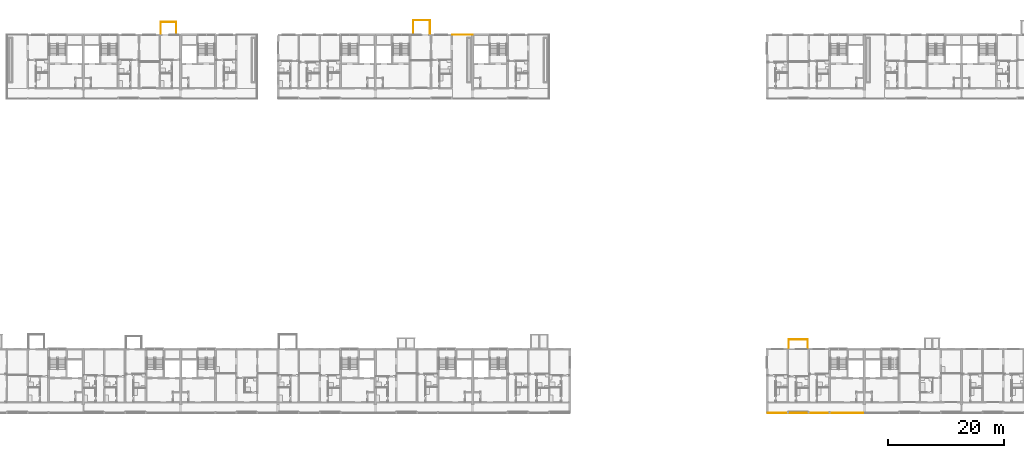
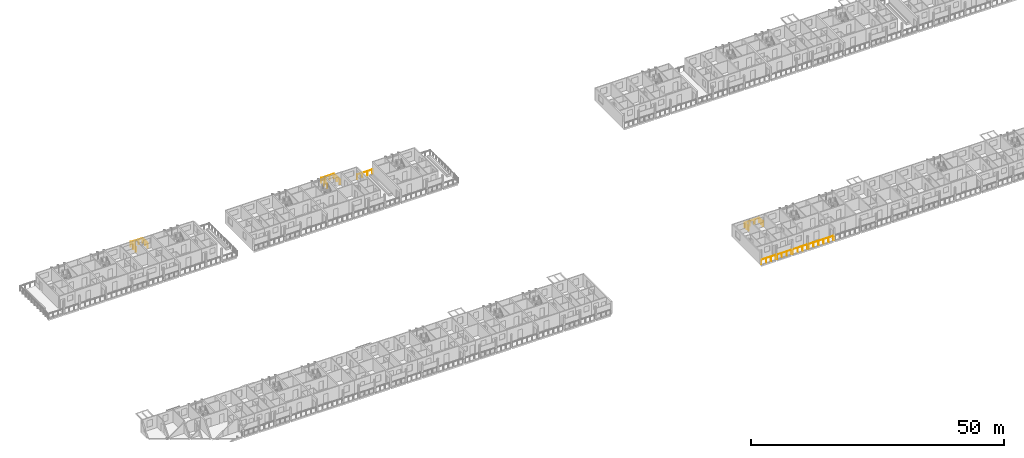
# One storey, part 82 of 94: 8 railings.
"""IFC4 building model written with IfcOpenShell, lengths in metres."""

from ifc_helpers import new_model, si_unit, direction, frame, origin, origin_2d, place, context, subcontext, project, spatial, circle, extrude, material, type_object, element, save


model = new_model("IFC4")

# Units and contexts
model_context = context("Model", 3, precision=1e-05, world=origin(), true_north=direction((0.0, 1.0)))
body_context = subcontext(model_context, "Body", "Model", "MODEL_VIEW")
ifc_project = project(units=[si_unit("LENGTHUNIT", "METRE"), si_unit("AREAUNIT", "SQUARE_METRE"), si_unit("VOLUMEUNIT", "CUBIC_METRE"), si_unit("PLANEANGLEUNIT", "RADIAN"), si_unit("MASSUNIT", "GRAM", prefix="KILO")], contexts=[model_context])

# Site, building, storey
site_placement = place(None, origin())
site = spatial("IfcSite", under=ifc_project, at=site_placement, CompositionType="ELEMENT")
building_placement = place(site_placement, origin())
building = spatial("IfcBuilding", under=site, at=building_placement, Name="Ridgestep Commons", CompositionType="ELEMENT")
storey_placement = place(building_placement, frame((0.0, 0.0, 21.0)))
storey = spatial("IfcBuildingStorey", under=building, at=storey_placement, Name="L07", CompositionType="ELEMENT", Elevation=21.0)

# Railings
ifc_material_1 = material(Name="Structural steel S355JR", Category="steel")
railing_type_1 = type_object("IfcRailingType", Name="Guard 1100", PredefinedType="GUARDRAIL", material=ifc_material_1)
railing_1_placement = place(storey_placement, frame((96.0, 77.125, 0.0)))
element("IfcRailing", 1, at=railing_1_placement, inside=storey, type_object=railing_type_1, Name="Guard TD-B5R1-GD", PredefinedType="GUARDRAIL", context=body_context, shape_type="SweptSolid", body=[
    extrude(circle(Radius=0.02392578125, at=origin_2d()), frame((0.0, 0.0, 1.076171875), z_axis=(-1.0, 0.0, 0.0), x_axis=(0.0, -1.0, 0.0)), (0.0, 0.0, 1.0), 3.47900390625),
    extrude(circle(Radius=0.02099609375, at=origin_2d()), origin(), (0.0, 0.0, 1.0), 1.052001953125),
    extrude(circle(Radius=0.02099609375, at=origin_2d()), frame((-1.15966796875, 0.0, 0.0)), (0.0, 0.0, 1.0), 1.052001953125),
    extrude(circle(Radius=0.02099609375, at=origin_2d()), frame((-2.3193359375, 0.0, 0.0)), (0.0, 0.0, 1.0), 1.052001953125),
    extrude(circle(Radius=0.02099609375, at=origin_2d()), frame((-3.47900390625, 0.0, 0.0)), (0.0, 0.0, 1.0), 1.052001953125),
])
railing_2_placement = place(storey_placement, frame((146.970947265625, 11.800048828125, 0.0)))
element("IfcRailing", 2, at=railing_2_placement, inside=storey, type_object=railing_type_1, Name="Gallery guard D 07.1", PredefinedType="GUARDRAIL", context=body_context, shape_type="SweptSolid", body=[
    extrude(circle(Radius=0.02392578125, at=origin_2d()), frame((0.0, 0.0, 1.076171875), z_axis=(1.0, 0.0, 0.0), x_axis=(0.0, 1.0, 0.0)), (0.0, 0.0, 1.0), 3.282958984375),
    extrude(circle(Radius=0.02099609375, at=origin_2d()), origin(), (0.0, 0.0, 1.0), 1.052001953125),
    extrude(circle(Radius=0.02099609375, at=origin_2d()), frame((1.09423828125, 0.0, 0.0)), (0.0, 0.0, 1.0), 1.052001953125),
    extrude(circle(Radius=0.02099609375, at=origin_2d()), frame((2.188720703125, 0.0, 0.0)), (0.0, 0.0, 1.0), 1.052001953125),
    extrude(circle(Radius=0.02099609375, at=origin_2d()), frame((3.282958984375, 0.0, 0.0)), (0.0, 0.0, 1.0), 1.052001953125),
])
for number, where, name in (
    (3, (150.5458984375, 11.800048828125, 0.0), "Gallery guard D 07.2"),
    (4, (154.14599609375, 11.800048828125, 0.0), "Gallery guard D 07.3"),
):
    element("IfcRailing", number, at=place(storey_placement, frame(where)), inside=storey, type_object=railing_type_1, Name=name, PredefinedType="GUARDRAIL", context=body_context, shape_type="SweptSolid", body=[
        extrude(circle(Radius=0.02392578125, at=origin_2d()), frame((0.0, 0.0, 1.076171875), z_axis=(1.0, 0.0, 0.0), x_axis=(0.0, 1.0, 0.0)), (0.0, 0.0, 1.0), 3.30810546875),
        extrude(circle(Radius=0.02099609375, at=origin_2d()), origin(), (0.0, 0.0, 1.0), 1.052001953125),
        extrude(circle(Radius=0.02099609375, at=origin_2d()), frame((1.102783203125, 0.0, 0.0)), (0.0, 0.0, 1.0), 1.052001953125),
        extrude(circle(Radius=0.02099609375, at=origin_2d()), frame((2.205322265625, 0.0, 0.0)), (0.0, 0.0, 1.0), 1.052001953125),
        extrude(circle(Radius=0.02099609375, at=origin_2d()), frame((3.30810546875, 0.0, 0.0)), (0.0, 0.0, 1.0), 1.052001953125),
    ])
railing_3_placement = place(storey_placement, frame((157.74609375, 11.800048828125, 0.0)))
element("IfcRailing", 5, at=railing_3_placement, inside=storey, type_object=railing_type_1, Name="Gallery guard D 07.4", PredefinedType="GUARDRAIL", context=body_context, shape_type="SweptSolid", body=[
    extrude(circle(Radius=0.02392578125, at=origin_2d()), frame((0.0, 0.0, 1.076171875), z_axis=(1.0, 0.0, 0.0), x_axis=(0.0, 1.0, 0.0)), (0.0, 0.0, 1.0), 5.682861328125),
    extrude(circle(Radius=0.02099609375, at=origin_2d()), origin(), (0.0, 0.0, 1.0), 1.052001953125),
    extrude(circle(Radius=0.02099609375, at=origin_2d()), frame((1.136474609375, 0.0, 0.0)), (0.0, 0.0, 1.0), 1.052001953125),
    extrude(circle(Radius=0.02099609375, at=origin_2d()), frame((2.273193359375, 0.0, 0.0)), (0.0, 0.0, 1.0), 1.052001953125),
    extrude(circle(Radius=0.02099609375, at=origin_2d()), frame((3.40966796875, 0.0, 0.0)), (0.0, 0.0, 1.0), 1.052001953125),
    extrude(circle(Radius=0.02099609375, at=origin_2d()), frame((4.54638671875, 0.0, 0.0)), (0.0, 0.0, 1.0), 1.052001953125),
    extrude(circle(Radius=0.02099609375, at=origin_2d()), frame((5.682861328125, 0.0, 0.0)), (0.0, 0.0, 1.0), 1.052001953125),
])
ifc_material_2 = material(Name="Weathering steel S355J2W", Category="steel")
railing_type_2 = type_object("IfcRailingType", Name="Tray guard 1100", PredefinedType="GUARDRAIL", material=ifc_material_2)
railing_4_placement = place(storey_placement, frame((150.551025390625, 23.02099609375, 0.0)))
element("IfcRailing", 6, at=railing_4_placement, inside=storey, type_object=railing_type_2, Name="Tray guard D1T2-07", PredefinedType="GUARDRAIL", context=body_context, shape_type="SweptSolid", body=[
    extrude(circle(Radius=0.02392578125, at=origin_2d()), frame((0.0, 0.0, 1.076171875), z_axis=(0.0, 1.0, 0.0), x_axis=(-1.0, 0.0, 0.0)), (0.0, 0.0, 1.0), 1.4580078125),
    extrude(circle(Radius=0.02392578125, at=origin_2d()), frame((0.0, 1.4580078125, 1.076171875), z_axis=(1.0, 0.0, 0.0), x_axis=(0.0, 1.0, 0.0)), (0.0, 0.0, 1.0), 3.298095703125),
    extrude(circle(Radius=0.02392578125, at=origin_2d()), frame((3.298095703125, 1.4580078125, 1.076171875), z_axis=(0.0, -1.0, 0.0), x_axis=(1.0, 0.0, 0.0)), (0.0, 0.0, 1.0), 1.4580078125),
    extrude(circle(Radius=0.02099609375, at=origin_2d()), origin(), (0.0, 0.0, 1.0), 1.052001953125),
    extrude(circle(Radius=0.02099609375, at=origin_2d()), frame((0.0, 0.72900390625, 0.0)), (0.0, 0.0, 1.0), 1.052001953125),
    extrude(circle(Radius=0.02099609375, at=origin_2d()), frame((0.0, 1.4580078125, 0.0)), (0.0, 0.0, 1.0), 1.052001953125),
    extrude(circle(Radius=0.02099609375, at=origin_2d()), frame((1.099365234375, 1.4580078125, 0.0)), (0.0, 0.0, 1.0), 1.052001953125),
    extrude(circle(Radius=0.02099609375, at=origin_2d()), frame((2.19873046875, 1.4580078125, 0.0)), (0.0, 0.0, 1.0), 1.052001953125),
    extrude(circle(Radius=0.02099609375, at=origin_2d()), frame((3.298095703125, 1.4580078125, 0.0)), (0.0, 0.0, 1.0), 1.052001953125),
    extrude(circle(Radius=0.02099609375, at=origin_2d()), frame((3.298095703125, 0.72900390625, 0.0)), (0.0, 0.0, 1.0), 1.052001953125),
    extrude(circle(Radius=0.02099609375, at=origin_2d()), frame((3.298095703125, 0.0, 0.0)), (0.0, 0.0, 1.0), 1.052001953125),
])
railing_5_placement = place(storey_placement, frame((42.15087890625, 77.27099609375, 0.0)))
element("IfcRailing", 7, at=railing_5_placement, inside=storey, type_object=railing_type_2, Name="Tray guard B2T1-07", PredefinedType="GUARDRAIL", context=body_context, shape_type="SweptSolid", body=[
    extrude(circle(Radius=0.02392578125, at=origin_2d()), frame((0.0, 0.0, 1.076171875), z_axis=(0.0, 1.0, 0.0), x_axis=(-1.0, 0.0, 0.0)), (0.0, 0.0, 1.0), 2.05810546875),
    extrude(circle(Radius=0.02392578125, at=origin_2d()), frame((0.0, 2.05810546875, 1.076171875), z_axis=(1.0, 0.0, 0.0), x_axis=(0.0, 1.0, 0.0)), (0.0, 0.0, 1.0), 2.6982421875),
    extrude(circle(Radius=0.02392578125, at=origin_2d()), frame((2.6982421875, 2.05810546875, 1.076171875), z_axis=(0.0, -1.0, 0.0), x_axis=(1.0, 0.0, 0.0)), (0.0, 0.0, 1.0), 2.05810546875),
    extrude(circle(Radius=0.02099609375, at=origin_2d()), origin(), (0.0, 0.0, 1.0), 1.052001953125),
    extrude(circle(Radius=0.02099609375, at=origin_2d()), frame((0.0, 1.029052734375, 0.0)), (0.0, 0.0, 1.0), 1.052001953125),
    extrude(circle(Radius=0.02099609375, at=origin_2d()), frame((0.0, 2.05810546875, 0.0)), (0.0, 0.0, 1.0), 1.052001953125),
    extrude(circle(Radius=0.02099609375, at=origin_2d()), frame((0.8994140625, 2.05810546875, 0.0)), (0.0, 0.0, 1.0), 1.052001953125),
    extrude(circle(Radius=0.02099609375, at=origin_2d()), frame((1.798828125, 2.05810546875, 0.0)), (0.0, 0.0, 1.0), 1.052001953125),
    extrude(circle(Radius=0.02099609375, at=origin_2d()), frame((2.6982421875, 2.05810546875, 0.0)), (0.0, 0.0, 1.0), 1.052001953125),
    extrude(circle(Radius=0.02099609375, at=origin_2d()), frame((2.6982421875, 1.029052734375, 0.0)), (0.0, 0.0, 1.0), 1.052001953125),
    extrude(circle(Radius=0.02099609375, at=origin_2d()), frame((2.6982421875, 0.0, 0.0)), (0.0, 0.0, 1.0), 1.052001953125),
])
railing_6_placement = place(storey_placement, frame((85.7509765625, 77.27099609375, 0.0)))
element("IfcRailing", 8, at=railing_6_placement, inside=storey, type_object=railing_type_2, Name="Tray guard B5T3-07", PredefinedType="GUARDRAIL", context=body_context, shape_type="SweptSolid", body=[
    extrude(circle(Radius=0.02392578125, at=origin_2d()), frame((0.0, 0.0, 1.076171875), z_axis=(0.0, 1.0, 0.0), x_axis=(-1.0, 0.0, 0.0)), (0.0, 0.0, 1.0), 2.35791015625),
    extrude(circle(Radius=0.02392578125, at=origin_2d()), frame((0.0, 2.35791015625, 1.076171875), z_axis=(1.0, 0.0, 0.0), x_axis=(0.0, 1.0, 0.0)), (0.0, 0.0, 1.0), 2.89794921875),
    extrude(circle(Radius=0.02392578125, at=origin_2d()), frame((2.89794921875, 2.35791015625, 1.076171875), z_axis=(0.0, -1.0, 0.0), x_axis=(1.0, 0.0, 0.0)), (0.0, 0.0, 1.0), 2.35791015625),
    extrude(circle(Radius=0.02099609375, at=origin_2d()), origin(), (0.0, 0.0, 1.0), 1.052001953125),
    extrude(circle(Radius=0.02099609375, at=origin_2d()), frame((0.0, 1.178955078125, 0.0)), (0.0, 0.0, 1.0), 1.052001953125),
    extrude(circle(Radius=0.02099609375, at=origin_2d()), frame((0.0, 2.35791015625, 0.0)), (0.0, 0.0, 1.0), 1.052001953125),
    extrude(circle(Radius=0.02099609375, at=origin_2d()), frame((0.966064453125, 2.35791015625, 0.0)), (0.0, 0.0, 1.0), 1.052001953125),
    extrude(circle(Radius=0.02099609375, at=origin_2d()), frame((1.931884765625, 2.35791015625, 0.0)), (0.0, 0.0, 1.0), 1.052001953125),
    extrude(circle(Radius=0.02099609375, at=origin_2d()), frame((2.89794921875, 2.35791015625, 0.0)), (0.0, 0.0, 1.0), 1.052001953125),
    extrude(circle(Radius=0.02099609375, at=origin_2d()), frame((2.89794921875, 1.178955078125, 0.0)), (0.0, 0.0, 1.0), 1.052001953125),
    extrude(circle(Radius=0.02099609375, at=origin_2d()), frame((2.89794921875, 0.0, 0.0)), (0.0, 0.0, 1.0), 1.052001953125),
])

save(model, "model.ifc")
